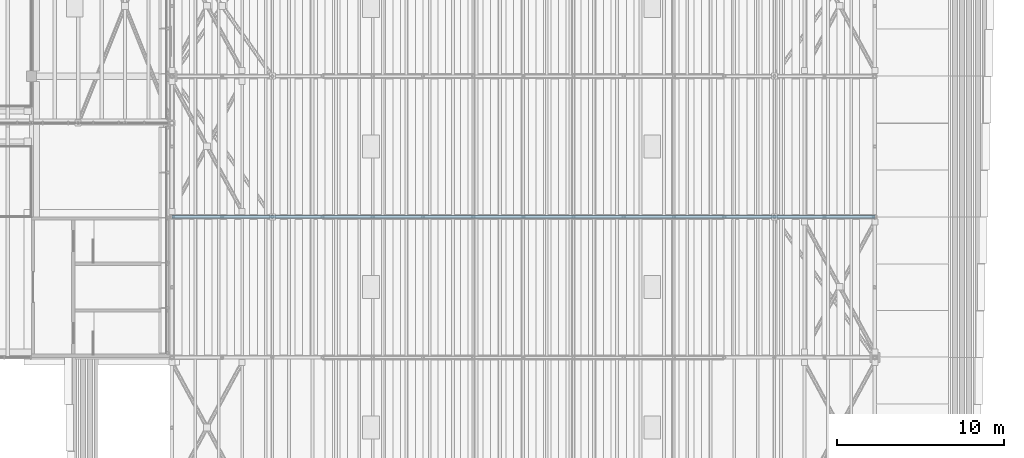
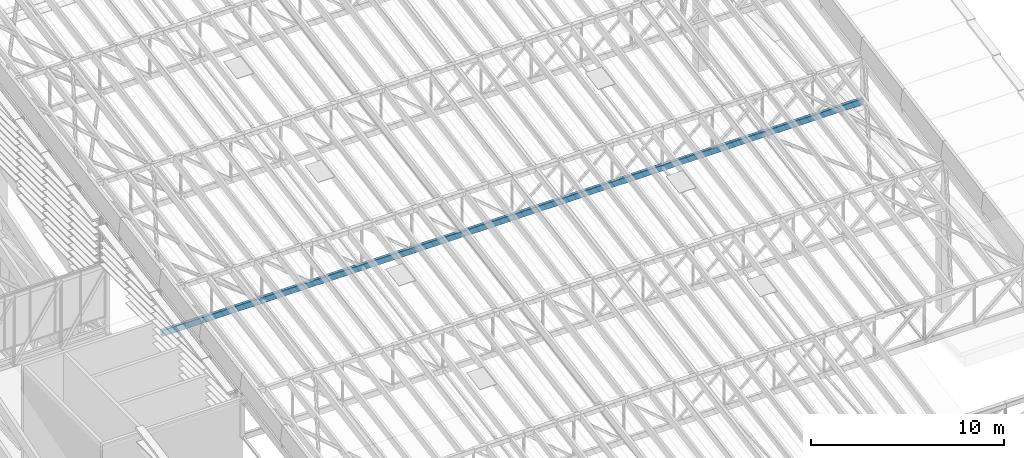
# One storey, part 19 of 91: 1 member.
"""IFC4 building model written with IfcOpenShell, lengths in metres."""

from ifc_helpers import new_model, si_unit, direction, frame, origin, origin_2d, place, context, subcontext, project, spatial, hollow_rectangle, extrude, material, material_profile, profile_set, type_object, element, save


model = new_model("IFC4")

# Units and contexts
model_context = context("Model", 3, precision=1e-05, world=origin(), true_north=direction((0.0, 1.0)))
body_context = subcontext(model_context, "Body", "Model", "MODEL_VIEW")
ifc_project = project(units=[si_unit("LENGTHUNIT", "METRE"), si_unit("AREAUNIT", "SQUARE_METRE"), si_unit("VOLUMEUNIT", "CUBIC_METRE"), si_unit("PLANEANGLEUNIT", "RADIAN"), si_unit("MASSUNIT", "GRAM", prefix="KILO")], contexts=[model_context])

# Site, building, storey
site_placement = place(None, origin())
site = spatial("IfcSite", under=ifc_project, at=site_placement, CompositionType="ELEMENT")
building_placement = place(site_placement, origin())
building = spatial("IfcBuilding", under=site, at=building_placement, Name="Almond Square Museum", CompositionType="ELEMENT")
storey_placement = place(building_placement, frame((0.0, 0.0, 30.0)))
storey = spatial("IfcBuildingStorey", under=building, at=storey_placement, Name="L05", CompositionType="ELEMENT", Elevation=30.0)

# Member
ifc_material = material(Name="Structural steel S355", Category="steel")
ifc_material_profile = material_profile(ifc_material, hollow_rectangle(XDim=0.199951171875, YDim=0.39990234375, WallThickness=0.012451171875, InnerFilletRadius=0.02490234375, OuterFilletRadius=0.03759765625, at=origin_2d()))
ifc_profile_set = profile_set([ifc_material_profile], Name="Structural steel S355")
member_type = type_object("IfcMemberType", Name="Truss chord RHS 400x200x12.5", PredefinedType="CHORD", material=ifc_profile_set)
member_placement = place(storey_placement, frame((106.800048828125, 75.60009765625, 8.110107421875), z_axis=(1.0, 0.0, 0.0), x_axis=(0.0, 1.0, 0.0)))
element("IfcMember", 1, at=member_placement, inside=storey, type_object=member_type, Name="TR-04 bottom chord 1 to 14", PredefinedType="CHORD", context=body_context, shape_type="SweptSolid", body=[
    extrude(hollow_rectangle(XDim=0.199951171875, YDim=0.39990234375, WallThickness=0.012451171875, InnerFilletRadius=0.02490234375, OuterFilletRadius=0.03759765625, at=origin_2d()), origin(), (0.0, 0.0, 1.0), 42.0),
])

save(model, "model.ifc")
